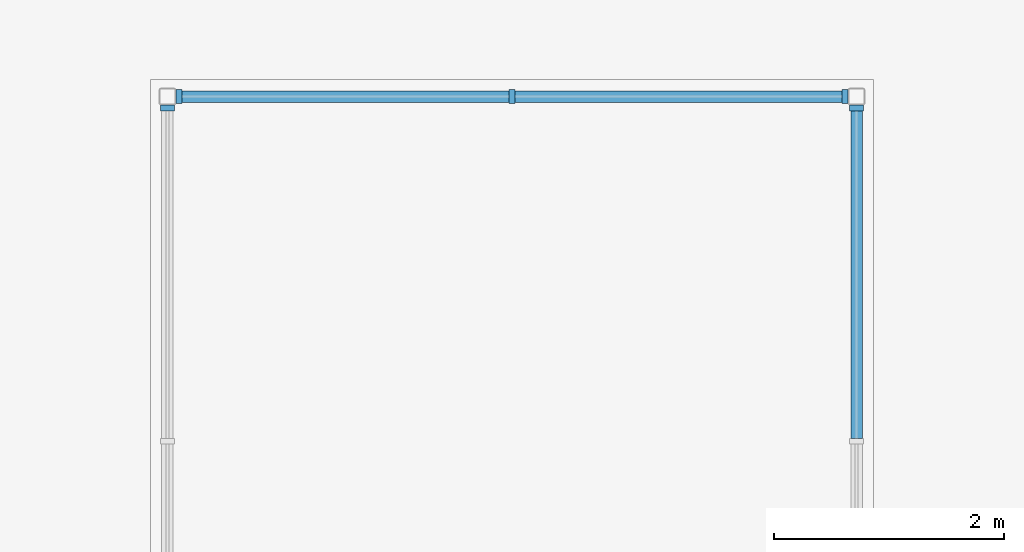
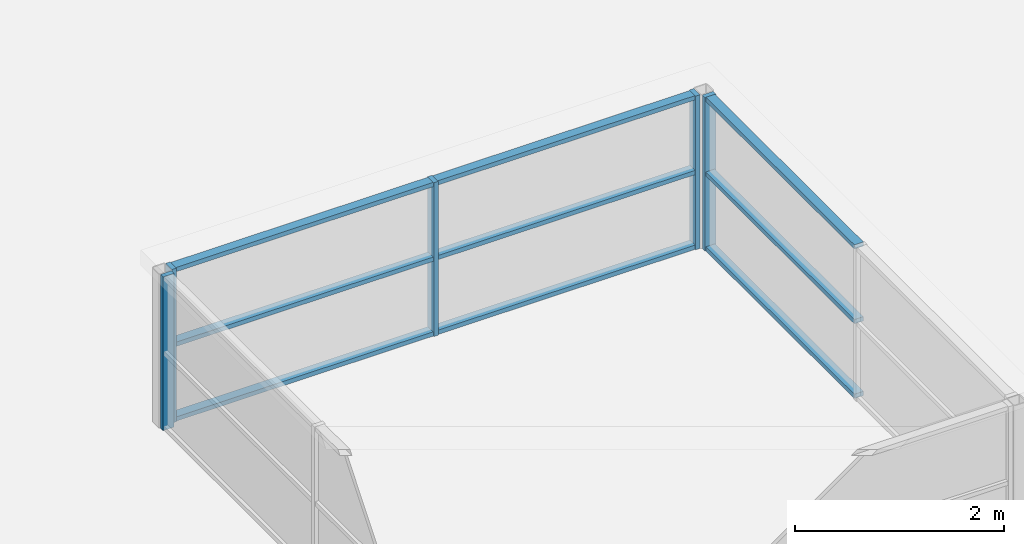
# One storey, part 6 of 18: 14 members, 3 elements without a shape of their own.
"""IFC4 building model written with IfcOpenShell, lengths in metres."""

from ifc_helpers import new_model, si_unit, direction, frame, origin, origin_2d, place, context, subcontext, project, spatial, rectangle, extrude, material, layer, layer_set, material_profile, profile_set, type_object, element, aggregate, save


model = new_model("IFC4")

# Units and contexts
model_context = context("Model", 3, precision=1e-05, world=origin(), true_north=direction((0.0, 1.0)))
body_context = subcontext(model_context, "Body", "Model", "MODEL_VIEW")
ifc_project = project(units=[si_unit("LENGTHUNIT", "METRE"), si_unit("AREAUNIT", "SQUARE_METRE"), si_unit("VOLUMEUNIT", "CUBIC_METRE"), si_unit("PLANEANGLEUNIT", "RADIAN"), si_unit("MASSUNIT", "GRAM", prefix="KILO")], contexts=[model_context])

# Site, building, storey
site_placement = place(None, origin())
site = spatial("IfcSite", under=ifc_project, at=site_placement, CompositionType="ELEMENT")
building_placement = place(site_placement, origin())
building = spatial("IfcBuilding", under=site, at=building_placement, Name="Poui Terraces", CompositionType="ELEMENT")
storey_placement = place(building_placement, frame((0.0, 0.0, 285.60009765625)))
storey = spatial("IfcBuildingStorey", under=building, at=storey_placement, Name="L79 CROWN", CompositionType="ELEMENT", Elevation=285.60009765625)

# Curtain wall, members
ifc_material_1 = material(Name="Clear glass", Category="glass")
ifc_layer = layer(ifc_material_1, 0.1201171875)
ifc_layer_set = layer_set([ifc_layer], Name="Clear glass")
curtain_wall_type = type_object("IfcCurtainWallType", Name="CURTAIN WALL CW-F LANTERN GLAZING", PredefinedType="NOTDEFINED", material=ifc_layer_set)
curtain_wall_1_placement = place(storey_placement, origin())
curtain_wall_1 = element("IfcCurtainWall", 1, at=curtain_wall_1_placement, inside=storey, type_object=curtain_wall_type, Name="CW-F LANTERN GLAZING", PredefinedType="NOTDEFINED")
ifc_material_2 = material(Name="Aluminium frame", Category="aluminium")
ifc_material_profile_1 = material_profile(ifc_material_2, rectangle(XDim=0.1201171875, YDim=0.050048828125, at=origin_2d()), Name="CW-F MULLION 50X120")
ifc_profile_set_1 = profile_set([ifc_material_profile_1], Name="Aluminium frame")
member_type_1 = type_object("IfcMemberType", Name="CW-F MULLION 50X120", PredefinedType="MULLION", material=ifc_profile_set_1)
member_1_placement = place(storey_placement, frame((77.89990234375, 9.0, 0.0), z_axis=(0.0, 0.0, 1.0), x_axis=(0.0, -1.0, 0.0)))
member_1 = element("IfcMember", 2, at=member_1_placement, type_object=member_type_1, Name="CW-F mullion 1", PredefinedType="MULLION", context=body_context, shape_type="SweptSolid", body=[
    extrude(rectangle(XDim=0.1201171875, YDim=0.050048828125, at=origin_2d()), origin(), (0.0, 0.0, 1.0), 1.7998046875),
])
member_2_placement = place(storey_placement, frame((75.0, 9.0, 0.0), z_axis=(0.0, 0.0, 1.0), x_axis=(0.0, -1.0, 0.0)))
member_2 = element("IfcMember", 3, at=member_2_placement, type_object=member_type_1, Name="CW-F mullion 2", PredefinedType="MULLION", context=body_context, shape_type="SweptSolid", body=[
    extrude(rectangle(XDim=0.1201171875, YDim=0.050048828125, at=origin_2d()), origin(), (0.0, 0.0, 1.0), 1.7998046875),
])
member_3_placement = place(storey_placement, frame((72.10009765625, 9.0, 0.0), z_axis=(0.0, 0.0, 1.0), x_axis=(0.0, -1.0, 0.0)))
member_3 = element("IfcMember", 4, at=member_3_placement, type_object=member_type_1, Name="CW-F mullion 3", PredefinedType="MULLION", context=body_context, shape_type="SweptSolid", body=[
    extrude(rectangle(XDim=0.1201171875, YDim=0.050048828125, at=origin_2d()), origin(), (0.0, 0.0, 1.0), 1.7998046875),
])

# Curtain wall, member
curtain_wall_2_placement = place(storey_placement, origin())
curtain_wall_2 = element("IfcCurtainWall", 5, at=curtain_wall_2_placement, inside=storey, type_object=curtain_wall_type, Name="CW-F LANTERN GLAZING", PredefinedType="NOTDEFINED")
member_4_placement = place(storey_placement, frame((78.0, 8.89990234375, 0.0), z_axis=(0.0, 0.0, 1.0), x_axis=(-1.0, 0.0, 0.0)))
member_4 = element("IfcMember", 6, at=member_4_placement, type_object=member_type_1, Name="CW-F mullion 3", PredefinedType="MULLION", context=body_context, shape_type="SweptSolid", body=[
    extrude(rectangle(XDim=0.1201171875, YDim=0.050048828125, at=origin_2d()), origin(), (0.0, 0.0, 1.0), 1.7998046875),
])

curtain_wall_3_placement = place(storey_placement, origin())
curtain_wall_3 = element("IfcCurtainWall", 7, at=curtain_wall_3_placement, inside=storey, type_object=curtain_wall_type, Name="CW-F LANTERN GLAZING", PredefinedType="NOTDEFINED")
member_5_placement = place(storey_placement, frame((72.0, 8.89990234375, 0.0), z_axis=(0.0, 0.0, 1.0), x_axis=(1.0, 0.0, 0.0)))
member_5 = element("IfcMember", 8, at=member_5_placement, type_object=member_type_1, Name="CW-F mullion 1", PredefinedType="MULLION", context=body_context, shape_type="SweptSolid", body=[
    extrude(rectangle(XDim=0.1201171875, YDim=0.050048828125, at=origin_2d()), origin(), (0.0, 0.0, 1.0), 1.7998046875),
])
aggregate(curtain_wall_3, [member_5])

# Member
ifc_material_profile_2 = material_profile(ifc_material_2, rectangle(XDim=0.10009765625, YDim=0.050048828125, at=origin_2d()), Name="CW-F TRANSOM 50X100")
ifc_profile_set_2 = profile_set([ifc_material_profile_2], Name="Aluminium frame")
member_type_2 = type_object("IfcMemberType", Name="CW-F TRANSOM 50X100", PredefinedType="USERDEFINED", material=ifc_profile_set_2)
member_6_placement = place(storey_placement, frame((77.875, 9.0, 0.02490234375), z_axis=(-1.0, 0.0, 0.0), x_axis=(0.0, -1.0, 0.0)))
member_6 = element("IfcMember", 9, at=member_6_placement, type_object=member_type_2, Name="CW-F transom 1.1", ObjectType="TRANSOM", PredefinedType="USERDEFINED", context=body_context, shape_type="SweptSolid", body=[
    extrude(rectangle(XDim=0.10009765625, YDim=0.050048828125, at=origin_2d()), origin(), (0.0, 0.0, 1.0), 2.85009765625),
])

member_7_placement = place(storey_placement, frame((77.875, 9.0, 0.89990234375), z_axis=(-1.0, 0.0, 0.0), x_axis=(0.0, -1.0, 0.0)))
member_7 = element("IfcMember", 10, at=member_7_placement, type_object=member_type_2, Name="CW-F transom 1.2", ObjectType="TRANSOM", PredefinedType="USERDEFINED", context=body_context, shape_type="SweptSolid", body=[
    extrude(rectangle(XDim=0.10009765625, YDim=0.050048828125, at=origin_2d()), origin(), (0.0, 0.0, 1.0), 2.85009765625),
])

member_8_placement = place(storey_placement, frame((77.875, 9.0, 1.77490234375), z_axis=(-1.0, 0.0, 0.0), x_axis=(0.0, -1.0, 0.0)))
member_8 = element("IfcMember", 11, at=member_8_placement, type_object=member_type_2, Name="CW-F transom 1.3", ObjectType="TRANSOM", PredefinedType="USERDEFINED", context=body_context, shape_type="SweptSolid", body=[
    extrude(rectangle(XDim=0.10009765625, YDim=0.050048828125, at=origin_2d()), origin(), (0.0, 0.0, 1.0), 2.85009765625),
])

member_9_placement = place(storey_placement, frame((74.97509765625, 9.0, 0.02490234375), z_axis=(-1.0, 0.0, 0.0), x_axis=(0.0, -1.0, 0.0)))
member_9 = element("IfcMember", 12, at=member_9_placement, type_object=member_type_2, Name="CW-F transom 2.1", ObjectType="TRANSOM", PredefinedType="USERDEFINED", context=body_context, shape_type="SweptSolid", body=[
    extrude(rectangle(XDim=0.10009765625, YDim=0.050048828125, at=origin_2d()), origin(), (0.0, 0.0, 1.0), 2.85009765625),
])

member_10_placement = place(storey_placement, frame((74.97509765625, 9.0, 0.89990234375), z_axis=(-1.0, 0.0, 0.0), x_axis=(0.0, -1.0, 0.0)))
member_10 = element("IfcMember", 13, at=member_10_placement, type_object=member_type_2, Name="CW-F transom 2.2", ObjectType="TRANSOM", PredefinedType="USERDEFINED", context=body_context, shape_type="SweptSolid", body=[
    extrude(rectangle(XDim=0.10009765625, YDim=0.050048828125, at=origin_2d()), origin(), (0.0, 0.0, 1.0), 2.85009765625),
])

member_11_placement = place(storey_placement, frame((74.97509765625, 9.0, 1.77490234375), z_axis=(-1.0, 0.0, 0.0), x_axis=(0.0, -1.0, 0.0)))
member_11 = element("IfcMember", 14, at=member_11_placement, type_object=member_type_2, Name="CW-F transom 2.3", ObjectType="TRANSOM", PredefinedType="USERDEFINED", context=body_context, shape_type="SweptSolid", body=[
    extrude(rectangle(XDim=0.10009765625, YDim=0.050048828125, at=origin_2d()), origin(), (0.0, 0.0, 1.0), 2.85009765625),
])

aggregate(curtain_wall_1, [member_1, member_2, member_3, member_6, member_7, member_8, member_9, member_10, member_11])

member_12_placement = place(storey_placement, frame((78.0, 6.02490234375, 0.02490234375), z_axis=(0.0, 1.0, 0.0), x_axis=(-1.0, 0.0, 0.0)))
member_12 = element("IfcMember", 15, at=member_12_placement, type_object=member_type_2, Name="CW-F transom 2.1", ObjectType="TRANSOM", PredefinedType="USERDEFINED", context=body_context, shape_type="SweptSolid", body=[
    extrude(rectangle(XDim=0.10009765625, YDim=0.050048828125, at=origin_2d()), origin(), (0.0, 0.0, 1.0), 2.85009765625),
])

member_13_placement = place(storey_placement, frame((78.0, 6.02490234375, 0.89990234375), z_axis=(0.0, 1.0, 0.0), x_axis=(-1.0, 0.0, 0.0)))
member_13 = element("IfcMember", 16, at=member_13_placement, type_object=member_type_2, Name="CW-F transom 2.2", ObjectType="TRANSOM", PredefinedType="USERDEFINED", context=body_context, shape_type="SweptSolid", body=[
    extrude(rectangle(XDim=0.10009765625, YDim=0.050048828125, at=origin_2d()), origin(), (0.0, 0.0, 1.0), 2.85009765625),
])

member_14_placement = place(storey_placement, frame((78.0, 6.02490234375, 1.77490234375), z_axis=(0.0, 1.0, 0.0), x_axis=(-1.0, 0.0, 0.0)))
member_14 = element("IfcMember", 17, at=member_14_placement, type_object=member_type_2, Name="CW-F transom 2.3", ObjectType="TRANSOM", PredefinedType="USERDEFINED", context=body_context, shape_type="SweptSolid", body=[
    extrude(rectangle(XDim=0.10009765625, YDim=0.050048828125, at=origin_2d()), origin(), (0.0, 0.0, 1.0), 2.85009765625),
])

aggregate(curtain_wall_2, [member_4, member_12, member_13, member_14])

save(model, "model.ifc")
